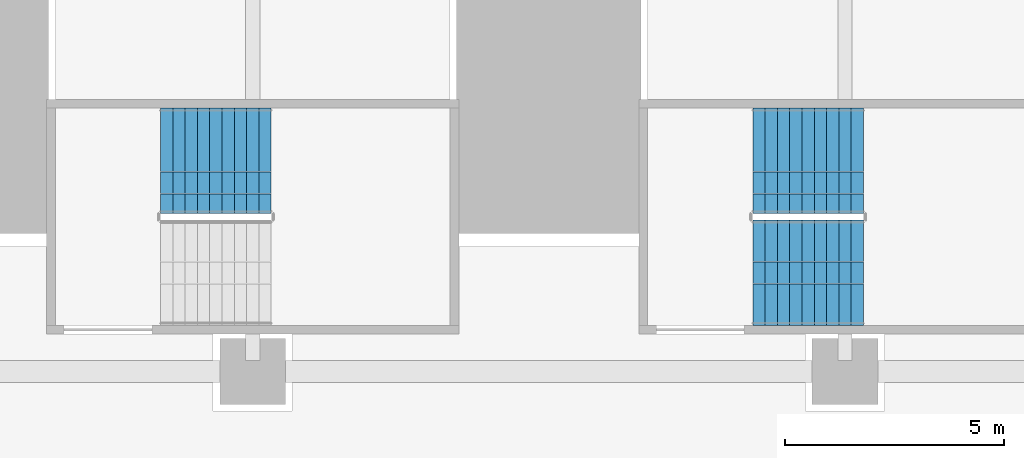
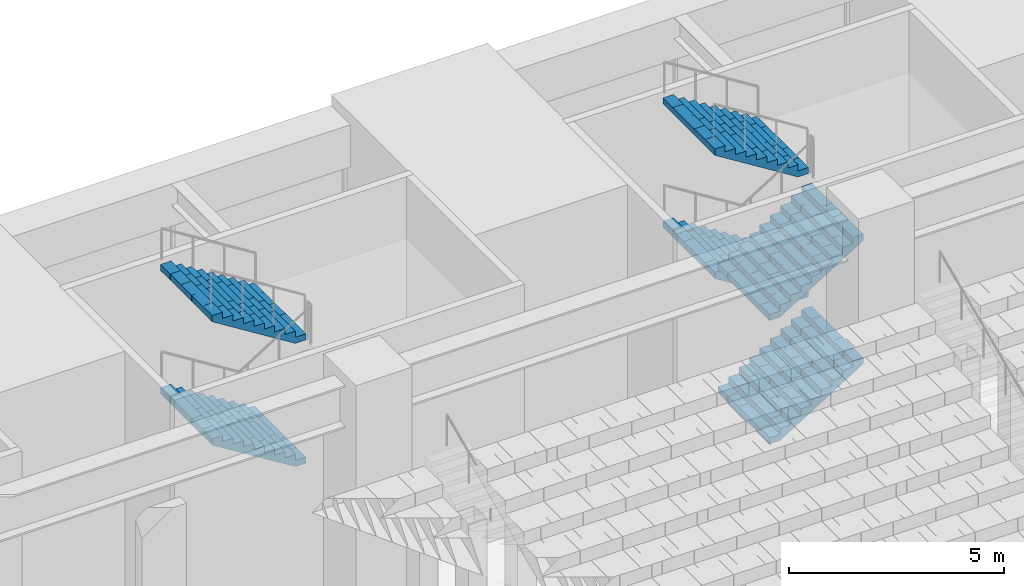
# One storey, part 51 of 62: 6 stair flights, 2 elements without a shape of their own.
"""IFC4 building model written with IfcOpenShell, lengths in metres."""

import ifcopenshell
import ifcopenshell.guid

model = None  # the IFC model being written
_history = None  # IfcOwnerHistory: only IFC2X3 demands one
_inside = {}  # id of a spatial element -> (the spatial element, [elements in it])
_under = {}  # id of a project, library or spatial element -> (it, [spatial elements below it])
_declared = {}  # id of a project -> (the project, [libraries it declares])
_typed = {}  # id of a type object -> (the type object, [elements of that type])
_made_of = {}  # id of a material, layer set ... -> (it, [elements and type objects made of it])


def new_model(schema):
    """Start an empty IFC model of exactly this schema.

    Asked for "IFC4X3", IfcOpenShell would pick the latest addendum, in which some entities
    have other attributes; the version numbers below select the first issue.
    IFC2X3 requires an IfcOwnerHistory on every rooted entity: one is made here for all.
    """
    global model, _history
    if schema == "IFC4X3":
        model = ifcopenshell.file(schema_version=(4, 3, 0, 0))
    else:
        model = ifcopenshell.file(schema=schema)
    _inside.clear()
    _under.clear()
    _declared.clear()
    _typed.clear()
    _made_of.clear()
    _history = None
    if model.schema == "IFC2X3":
        org = make("IfcOrganization", Name="unknown")
        user = make(
            "IfcPersonAndOrganization",
            ThePerson=make("IfcPerson", FamilyName="unknown"),
            TheOrganization=org,
        )
        app = make(
            "IfcApplication",
            ApplicationDeveloper=org,
            Version="unknown",
            ApplicationFullName="unknown",
            ApplicationIdentifier="unknown",
        )
        _history = make(
            "IfcOwnerHistory",
            OwningUser=user,
            OwningApplication=app,
            ChangeAction="ADDED",
            CreationDate=0,
        )
    return model


def make(cls, **values):
    """One entity of the class cls with the attributes given. An attribute that is None is left unset."""
    return model.create_entity(
        cls, **{name: value for name, value in values.items() if value is not None}
    )


def rooted(cls, **values):
    """An entity with a GlobalId (a new one), such as an element, a storey or a relation."""
    return make(cls, GlobalId=ifcopenshell.guid.new(), OwnerHistory=_history, **values)


def si_unit(unit_type, name, prefix=None):
    """IfcSIUnit, for example si_unit("LENGTHUNIT", "METRE", prefix="MILLI")."""
    return make("IfcSIUnit", UnitType=unit_type, Prefix=prefix, Name=name)


def assignment(units):
    """IfcUnitAssignment: the units of a project."""
    return None if units is None else make("IfcUnitAssignment", Units=units)


def point(xyz):
    """IfcCartesianPoint."""
    return None if xyz is None else make("IfcCartesianPoint", Coordinates=xyz)


def direction(xyz):
    """IfcDirection."""
    return None if xyz is None else make("IfcDirection", DirectionRatios=xyz)


def frame(location, z_axis=None, x_axis=None):
    """IfcAxis2Placement3D, a coordinate frame: its origin and axes. An axis left out is left unset."""
    return make(
        "IfcAxis2Placement3D",
        Location=point(location),
        Axis=direction(z_axis),
        RefDirection=direction(x_axis),
    )


def origin():
    """The frame at (0, 0, 0) with its axes left unset."""
    return frame((0.0, 0.0, 0.0))


def place(relative_to, where):
    """IfcLocalPlacement: puts the frame where relative to a parent placement (None: the world)."""
    return make(
        "IfcLocalPlacement", PlacementRelTo=relative_to, RelativePlacement=where
    )


def context(
    kind, dimensions, precision=None, world=None, true_north=None, identifier=None
):
    """IfcGeometricRepresentationContext, for example the 3D "Model" context."""
    return make(
        "IfcGeometricRepresentationContext",
        ContextIdentifier=identifier,
        ContextType=kind,
        CoordinateSpaceDimension=dimensions,
        Precision=precision,
        WorldCoordinateSystem=world,
        TrueNorth=true_north,
    )


def subcontext(parent, identifier, kind, view, scale=None):
    """IfcGeometricRepresentationSubContext, for example "Body" below "Model"."""
    return make(
        "IfcGeometricRepresentationSubContext",
        ContextIdentifier=identifier,
        ContextType=kind,
        ParentContext=parent,
        TargetScale=scale,
        TargetView=view,
    )


def project(units=None, contexts=None):
    """IfcProject with its units and contexts."""
    return rooted(
        "IfcProject",
        Name="project",
        RepresentationContexts=contexts,
        UnitsInContext=assignment(units),
    )


def spatial(cls, under=None, at=None, **own):
    """A site, building, storey or space (cls), placed at a placement, below another one or the project."""
    s = rooted(cls, ObjectPlacement=at, **own)
    if under is not None:
        _under.setdefault(under.id(), (under, []))[1].append(s)
    return s


def polyline(points):
    """IfcPolyline through the points."""
    return make("IfcPolyline", Points=[point(p) for p in points])


def outline(outer, holes=None, kind="AREA"):
    """IfcArbitraryClosedProfileDef: a profile drawn as a closed curve; with holes, ...WithVoids."""
    if holes is None:
        return make("IfcArbitraryClosedProfileDef", ProfileType=kind, OuterCurve=outer)
    return make(
        "IfcArbitraryProfileDefWithVoids",
        ProfileType=kind,
        OuterCurve=outer,
        InnerCurves=holes,
    )


def extrude(swept, where, along, depth):
    """IfcExtrudedAreaSolid: the profile swept, set in the frame where, extruded along a direction by depth."""
    return make(
        "IfcExtrudedAreaSolid",
        SweptArea=swept,
        Position=where,
        ExtrudedDirection=direction(along),
        Depth=depth,
    )


def shape(context_of_items, identifier, shape_type, items):
    """IfcShapeRepresentation: the items that make up one representation, for example the "Body"."""
    return make(
        "IfcShapeRepresentation",
        ContextOfItems=context_of_items,
        RepresentationIdentifier=identifier,
        RepresentationType=shape_type,
        Items=items,
    )


def material(Name=None, Category=None):
    """IfcMaterial."""
    return make("IfcMaterial", Name=Name, Category=Category)


def made_of(thing, what):
    """Note that an element or type object is made of a material, layer set ...; save() writes the relation."""
    if what is not None:
        _made_of.setdefault(what.id(), (what, []))[1].append(thing)
    return thing


def type_object(cls, material=None, **own):
    """A type object (cls), such as IfcWallType, which elements share."""
    return made_of(rooted(cls, **own), material)


def element(
    cls,
    number,
    at=None,
    inside=None,
    cuts=None,
    type_object=None,
    material=None,
    context=None,
    identifier="Body",
    shape_type=None,
    held_by="IfcProductDefinitionShape",
    body=None,
    shapes=None,
    **own,
):
    """One element of the class cls, such as IfcWall. Its Tag is "e" and its number.

    at: its placement. inside: the storey or other place that contains it. cuts: it is an
    opening in that element (IfcRelVoidsElement). A single representation is given by context,
    identifier, shape_type and body (its items); several are given by shapes. held_by: the class
    of the entity that holds the representations. save() writes the other relations.
    """
    e = rooted(cls, Tag="e%d" % number, ObjectPlacement=at, **own)
    if body is not None:
        shapes = [shape(context, identifier, shape_type, body)]
    if shapes is not None:
        e.Representation = make(held_by, Representations=shapes)
    if inside is not None:
        _inside.setdefault(inside.id(), (inside, []))[1].append(e)
    if cuts is not None:
        rooted(
            "IfcRelVoidsElement", RelatingBuildingElement=cuts, RelatedOpeningElement=e
        )
    if type_object is not None:
        _typed.setdefault(type_object.id(), (type_object, []))[1].append(e)
    return made_of(e, material)


def aggregate(whole, parts):
    """IfcRelAggregates: a whole, such as a stair, and the parts it consists of."""
    return rooted("IfcRelAggregates", RelatingObject=whole, RelatedObjects=parts)


def save(model, path):
    """Write the relations noted so far, then the file.

    IfcRelAggregates (storeys below a building ...), IfcRelContainedInSpatialStructure (elements
    in a storey), IfcRelDefinesByType, IfcRelAssociatesMaterial and IfcRelDeclares: one each for
    every whole, place, type object, material and project.
    """
    for whole, parts in _under.values():
        aggregate(whole, parts)
    for where, things in _inside.values():
        rooted(
            "IfcRelContainedInSpatialStructure",
            RelatedElements=things,
            RelatingStructure=where,
        )
    for kind, things in _typed.values():
        rooted("IfcRelDefinesByType", RelatedObjects=things, RelatingType=kind)
    for what, things in _made_of.values():
        rooted("IfcRelAssociatesMaterial", RelatedObjects=things, RelatingMaterial=what)
    for by, libraries in _declared.values():
        rooted("IfcRelDeclares", RelatingContext=by, RelatedDefinitions=libraries)
    model.write(path)


model = new_model("IFC4")

# Units and contexts
model_context = context("Model", 3, precision=1e-05, world=origin(), true_north=direction((0.0, 1.0)))
body_context = subcontext(model_context, "Body", "Model", "MODEL_VIEW")
ifc_project = project(units=[si_unit("LENGTHUNIT", "METRE"), si_unit("AREAUNIT", "SQUARE_METRE"), si_unit("VOLUMEUNIT", "CUBIC_METRE"), si_unit("PLANEANGLEUNIT", "RADIAN"), si_unit("MASSUNIT", "GRAM", prefix="KILO")], contexts=[model_context])

# Site, building, storey
site_placement = place(None, origin())
site = spatial("IfcSite", under=ifc_project, at=site_placement, CompositionType="ELEMENT")
building_placement = place(site_placement, origin())
building = spatial("IfcBuilding", under=site, at=building_placement, Name="Corbelhall Arena Tower", CompositionType="ELEMENT")
storey_placement = place(building_placement, frame((0.0, 0.0, 12.0)))
storey = spatial("IfcBuildingStorey", under=building, at=storey_placement, Name="L01", CompositionType="ELEMENT", Elevation=12.0)

# Stair, stair flights
ifc_material = material(Name="Reinforced concrete C40/50", Category="concrete")
stair_type = type_object("IfcStairType", Name="AR-EXIT-STAIR", PredefinedType="HALF_TURN_STAIR", material=ifc_material)
stair_1_placement = place(storey_placement, origin())
stair_1 = element("IfcStair", 1, at=stair_1_placement, inside=storey, type_object=stair_type, Name="L01 exit stair AS11", PredefinedType="HALF_TURN_STAIR")
stair_flight_type = type_object("IfcStairFlightType", Name="AR-EXIT-FLIGHT", PredefinedType="STRAIGHT", material=ifc_material)
stair_flight_1_placement = place(storey_placement, frame((7.169921875, 34.050048828125, 1.75), z_axis=(0.0, 0.0, 1.0), x_axis=(-1.0, 0.0, 0.0)))
stair_flight_1 = element("IfcStairFlight", 2, at=stair_flight_1_placement, type_object=stair_flight_type, Name="AS11 flight 2", NumberOfRisers=10, NumberOfTreads=9, PredefinedType="STRAIGHT", RiserHeight=0.175, TreadLength=0.28, context=body_context, shape_type="SweptSolid", body=[
    extrude(outline(polyline([(0.0, 0.0), (0.0, 0.175048828125), (0.280029296875, 0.175048828125), (0.280029296875, 0.35009765625), (0.56005859375, 0.35009765625), (0.56005859375, 0.52490234375), (0.840087890625, 0.52490234375), (0.840087890625, 0.699951171875), (1.1201171875, 0.699951171875), (1.1201171875, 0.875), (1.39990234375, 0.875), (1.39990234375, 1.050048828125), (1.679931640625, 1.050048828125), (1.679931640625, 1.22509765625), (1.9599609375, 1.22509765625), (1.9599609375, 1.39990234375), (2.239990234375, 1.39990234375), (2.239990234375, 1.574951171875), (2.52001953125, 1.574951171875), (2.52001953125, 1.75), (2.52001953125, 1.398193359375), (0.28271484375, 0.0), (0.0, 0.0)])), frame((0.0, 1.199951171875, 0.0), z_axis=(0.0, -1.0, 0.0), x_axis=(1.0, 0.0, 0.0)), (0.0, 0.0, 1.0), 0.449951171875),
    extrude(outline(polyline([(0.0, 0.0), (0.0, 0.175048828125), (0.280029296875, 0.175048828125), (0.280029296875, 0.35009765625), (0.56005859375, 0.35009765625), (0.56005859375, 0.52490234375), (0.840087890625, 0.52490234375), (0.840087890625, 0.699951171875), (1.1201171875, 0.699951171875), (1.1201171875, 0.875), (1.39990234375, 0.875), (1.39990234375, 1.050048828125), (1.679931640625, 1.050048828125), (1.679931640625, 1.22509765625), (1.9599609375, 1.22509765625), (1.9599609375, 1.39990234375), (2.239990234375, 1.39990234375), (2.239990234375, 1.574951171875), (2.52001953125, 1.574951171875), (2.52001953125, 1.75), (2.52001953125, 1.398193359375), (0.28271484375, 0.0), (0.0, 0.0)])), frame((0.0, 0.745849609375, 0.0), z_axis=(0.0, -1.0, 0.0), x_axis=(1.0, 0.0, 0.0)), (0.0, 0.0, 1.0), 0.49462890625),
    extrude(outline(polyline([(0.0, 0.0), (0.0, 0.175048828125), (0.280029296875, 0.175048828125), (0.280029296875, 0.35009765625), (0.56005859375, 0.35009765625), (0.56005859375, 0.52490234375), (0.840087890625, 0.52490234375), (0.840087890625, 0.699951171875), (1.1201171875, 0.699951171875), (1.1201171875, 0.875), (1.39990234375, 0.875), (1.39990234375, 1.050048828125), (1.679931640625, 1.050048828125), (1.679931640625, 1.22509765625), (1.9599609375, 1.22509765625), (1.9599609375, 1.39990234375), (2.239990234375, 1.39990234375), (2.239990234375, 1.574951171875), (2.52001953125, 1.574951171875), (2.52001953125, 1.75), (2.52001953125, 1.398193359375), (0.28271484375, 0.0), (0.0, 0.0)])), frame((0.0, 0.247314453125, 0.0), z_axis=(0.0, -1.0, 0.0), x_axis=(1.0, 0.0, 0.0)), (0.0, 0.0, 1.0), 0.49462890625),
    extrude(outline(polyline([(0.0, 0.0), (0.0, 0.175048828125), (0.280029296875, 0.175048828125), (0.280029296875, 0.35009765625), (0.56005859375, 0.35009765625), (0.56005859375, 0.52490234375), (0.840087890625, 0.52490234375), (0.840087890625, 0.699951171875), (1.1201171875, 0.699951171875), (1.1201171875, 0.875), (1.39990234375, 0.875), (1.39990234375, 1.050048828125), (1.679931640625, 1.050048828125), (1.679931640625, 1.22509765625), (1.9599609375, 1.22509765625), (1.9599609375, 1.39990234375), (2.239990234375, 1.39990234375), (2.239990234375, 1.574951171875), (2.52001953125, 1.574951171875), (2.52001953125, 1.75), (2.52001953125, 1.398193359375), (0.28271484375, 0.0), (0.0, 0.0)])), frame((0.0, -0.251220703125, 0.0), z_axis=(0.0, -1.0, 0.0), x_axis=(1.0, 0.0, 0.0)), (0.0, 0.0, 1.0), 0.49462890625),
    extrude(outline(polyline([(0.0, 0.0), (0.0, 0.175048828125), (0.280029296875, 0.175048828125), (0.280029296875, 0.35009765625), (0.56005859375, 0.35009765625), (0.56005859375, 0.52490234375), (0.840087890625, 0.52490234375), (0.840087890625, 0.699951171875), (1.1201171875, 0.699951171875), (1.1201171875, 0.875), (1.39990234375, 0.875), (1.39990234375, 1.050048828125), (1.679931640625, 1.050048828125), (1.679931640625, 1.22509765625), (1.9599609375, 1.22509765625), (1.9599609375, 1.39990234375), (2.239990234375, 1.39990234375), (2.239990234375, 1.574951171875), (2.52001953125, 1.574951171875), (2.52001953125, 1.75), (2.52001953125, 1.398193359375), (0.28271484375, 0.0), (0.0, 0.0)])), frame((0.0, -0.75, 0.0), z_axis=(0.0, -1.0, 0.0), x_axis=(1.0, 0.0, 0.0)), (0.0, 0.0, 1.0), 0.449951171875),
])
stair_flight_2_placement = place(storey_placement, frame((7.169921875, 34.050048828125, 5.25), z_axis=(0.0, 0.0, 1.0), x_axis=(-1.0, 0.0, 0.0)))
stair_flight_2 = element("IfcStairFlight", 3, at=stair_flight_2_placement, type_object=stair_flight_type, Name="AS11 flight 4", NumberOfRisers=10, NumberOfTreads=9, PredefinedType="STRAIGHT", RiserHeight=0.175, TreadLength=0.28, context=body_context, shape_type="SweptSolid", body=[
    extrude(outline(polyline([(0.0, 0.0), (0.0, 0.175048828125), (0.280029296875, 0.175048828125), (0.280029296875, 0.35009765625), (0.56005859375, 0.35009765625), (0.56005859375, 0.52490234375), (0.840087890625, 0.52490234375), (0.840087890625, 0.699951171875), (1.1201171875, 0.699951171875), (1.1201171875, 0.875), (1.39990234375, 0.875), (1.39990234375, 1.050048828125), (1.679931640625, 1.050048828125), (1.679931640625, 1.22509765625), (1.9599609375, 1.22509765625), (1.9599609375, 1.39990234375), (2.239990234375, 1.39990234375), (2.239990234375, 1.574951171875), (2.52001953125, 1.574951171875), (2.52001953125, 1.75), (2.52001953125, 1.398193359375), (0.28271484375, 0.0), (0.0, 0.0)])), frame((0.0, 1.199951171875, 0.0), z_axis=(0.0, -1.0, 0.0), x_axis=(1.0, 0.0, 0.0)), (0.0, 0.0, 1.0), 0.449951171875),
    extrude(outline(polyline([(0.0, 0.0), (0.0, 0.175048828125), (0.280029296875, 0.175048828125), (0.280029296875, 0.35009765625), (0.56005859375, 0.35009765625), (0.56005859375, 0.52490234375), (0.840087890625, 0.52490234375), (0.840087890625, 0.699951171875), (1.1201171875, 0.699951171875), (1.1201171875, 0.875), (1.39990234375, 0.875), (1.39990234375, 1.050048828125), (1.679931640625, 1.050048828125), (1.679931640625, 1.22509765625), (1.9599609375, 1.22509765625), (1.9599609375, 1.39990234375), (2.239990234375, 1.39990234375), (2.239990234375, 1.574951171875), (2.52001953125, 1.574951171875), (2.52001953125, 1.75), (2.52001953125, 1.398193359375), (0.28271484375, 0.0), (0.0, 0.0)])), frame((0.0, 0.745849609375, 0.0), z_axis=(0.0, -1.0, 0.0), x_axis=(1.0, 0.0, 0.0)), (0.0, 0.0, 1.0), 0.49462890625),
    extrude(outline(polyline([(0.0, 0.0), (0.0, 0.175048828125), (0.280029296875, 0.175048828125), (0.280029296875, 0.35009765625), (0.56005859375, 0.35009765625), (0.56005859375, 0.52490234375), (0.840087890625, 0.52490234375), (0.840087890625, 0.699951171875), (1.1201171875, 0.699951171875), (1.1201171875, 0.875), (1.39990234375, 0.875), (1.39990234375, 1.050048828125), (1.679931640625, 1.050048828125), (1.679931640625, 1.22509765625), (1.9599609375, 1.22509765625), (1.9599609375, 1.39990234375), (2.239990234375, 1.39990234375), (2.239990234375, 1.574951171875), (2.52001953125, 1.574951171875), (2.52001953125, 1.75), (2.52001953125, 1.398193359375), (0.28271484375, 0.0), (0.0, 0.0)])), frame((0.0, 0.247314453125, 0.0), z_axis=(0.0, -1.0, 0.0), x_axis=(1.0, 0.0, 0.0)), (0.0, 0.0, 1.0), 0.49462890625),
    extrude(outline(polyline([(0.0, 0.0), (0.0, 0.175048828125), (0.280029296875, 0.175048828125), (0.280029296875, 0.35009765625), (0.56005859375, 0.35009765625), (0.56005859375, 0.52490234375), (0.840087890625, 0.52490234375), (0.840087890625, 0.699951171875), (1.1201171875, 0.699951171875), (1.1201171875, 0.875), (1.39990234375, 0.875), (1.39990234375, 1.050048828125), (1.679931640625, 1.050048828125), (1.679931640625, 1.22509765625), (1.9599609375, 1.22509765625), (1.9599609375, 1.39990234375), (2.239990234375, 1.39990234375), (2.239990234375, 1.574951171875), (2.52001953125, 1.574951171875), (2.52001953125, 1.75), (2.52001953125, 1.398193359375), (0.28271484375, 0.0), (0.0, 0.0)])), frame((0.0, -0.251220703125, 0.0), z_axis=(0.0, -1.0, 0.0), x_axis=(1.0, 0.0, 0.0)), (0.0, 0.0, 1.0), 0.49462890625),
    extrude(outline(polyline([(0.0, 0.0), (0.0, 0.175048828125), (0.280029296875, 0.175048828125), (0.280029296875, 0.35009765625), (0.56005859375, 0.35009765625), (0.56005859375, 0.52490234375), (0.840087890625, 0.52490234375), (0.840087890625, 0.699951171875), (1.1201171875, 0.699951171875), (1.1201171875, 0.875), (1.39990234375, 0.875), (1.39990234375, 1.050048828125), (1.679931640625, 1.050048828125), (1.679931640625, 1.22509765625), (1.9599609375, 1.22509765625), (1.9599609375, 1.39990234375), (2.239990234375, 1.39990234375), (2.239990234375, 1.574951171875), (2.52001953125, 1.574951171875), (2.52001953125, 1.75), (2.52001953125, 1.398193359375), (0.28271484375, 0.0), (0.0, 0.0)])), frame((0.0, -0.75, 0.0), z_axis=(0.0, -1.0, 0.0), x_axis=(1.0, 0.0, 0.0)), (0.0, 0.0, 1.0), 0.449951171875),
])
aggregate(stair_1, [stair_flight_1, stair_flight_2])

stair_2_placement = place(storey_placement, origin())
stair_2 = element("IfcStair", 4, at=stair_2_placement, inside=storey, type_object=stair_type, Name="L01 exit stair AS12", PredefinedType="HALF_TURN_STAIR")
stair_flight_3_placement = place(storey_placement, frame((18.14990234375, 31.5, 0.0), z_axis=(0.0, 0.0, 1.0), x_axis=(1.0, 0.0, 0.0)))
stair_flight_3 = element("IfcStairFlight", 5, at=stair_flight_3_placement, type_object=stair_flight_type, Name="AS12 flight 1", NumberOfRisers=10, NumberOfTreads=9, PredefinedType="STRAIGHT", RiserHeight=0.175, TreadLength=0.28, context=body_context, shape_type="SweptSolid", body=[
    extrude(outline(polyline([(0.0, 0.0), (0.0, 0.175048828125), (0.280029296875, 0.175048828125), (0.280029296875, 0.35009765625), (0.56005859375, 0.35009765625), (0.56005859375, 0.52490234375), (0.840087890625, 0.52490234375), (0.840087890625, 0.699951171875), (1.1201171875, 0.699951171875), (1.1201171875, 0.875), (1.39990234375, 0.875), (1.39990234375, 1.050048828125), (1.679931640625, 1.050048828125), (1.679931640625, 1.22509765625), (1.9599609375, 1.22509765625), (1.9599609375, 1.39990234375), (2.239990234375, 1.39990234375), (2.239990234375, 1.574951171875), (2.52001953125, 1.574951171875), (2.52001953125, 1.75), (2.52001953125, 1.398193359375), (0.28271484375, 0.0), (0.0, 0.0)])), frame((0.0, 1.199951171875, 0.0), z_axis=(0.0, -1.0, 0.0), x_axis=(1.0, 0.0, 0.0)), (0.0, 0.0, 1.0), 0.449951171875),
    extrude(outline(polyline([(0.0, 0.0), (0.0, 0.175048828125), (0.280029296875, 0.175048828125), (0.280029296875, 0.35009765625), (0.56005859375, 0.35009765625), (0.56005859375, 0.52490234375), (0.840087890625, 0.52490234375), (0.840087890625, 0.699951171875), (1.1201171875, 0.699951171875), (1.1201171875, 0.875), (1.39990234375, 0.875), (1.39990234375, 1.050048828125), (1.679931640625, 1.050048828125), (1.679931640625, 1.22509765625), (1.9599609375, 1.22509765625), (1.9599609375, 1.39990234375), (2.239990234375, 1.39990234375), (2.239990234375, 1.574951171875), (2.52001953125, 1.574951171875), (2.52001953125, 1.75), (2.52001953125, 1.398193359375), (0.28271484375, 0.0), (0.0, 0.0)])), frame((0.0, 0.745849609375, 0.0), z_axis=(0.0, -1.0, 0.0), x_axis=(1.0, 0.0, 0.0)), (0.0, 0.0, 1.0), 0.49462890625),
    extrude(outline(polyline([(0.0, 0.0), (0.0, 0.175048828125), (0.280029296875, 0.175048828125), (0.280029296875, 0.35009765625), (0.56005859375, 0.35009765625), (0.56005859375, 0.52490234375), (0.840087890625, 0.52490234375), (0.840087890625, 0.699951171875), (1.1201171875, 0.699951171875), (1.1201171875, 0.875), (1.39990234375, 0.875), (1.39990234375, 1.050048828125), (1.679931640625, 1.050048828125), (1.679931640625, 1.22509765625), (1.9599609375, 1.22509765625), (1.9599609375, 1.39990234375), (2.239990234375, 1.39990234375), (2.239990234375, 1.574951171875), (2.52001953125, 1.574951171875), (2.52001953125, 1.75), (2.52001953125, 1.398193359375), (0.28271484375, 0.0), (0.0, 0.0)])), frame((0.0, 0.247314453125, 0.0), z_axis=(0.0, -1.0, 0.0), x_axis=(1.0, 0.0, 0.0)), (0.0, 0.0, 1.0), 0.49462890625),
    extrude(outline(polyline([(0.0, 0.0), (0.0, 0.175048828125), (0.280029296875, 0.175048828125), (0.280029296875, 0.35009765625), (0.56005859375, 0.35009765625), (0.56005859375, 0.52490234375), (0.840087890625, 0.52490234375), (0.840087890625, 0.699951171875), (1.1201171875, 0.699951171875), (1.1201171875, 0.875), (1.39990234375, 0.875), (1.39990234375, 1.050048828125), (1.679931640625, 1.050048828125), (1.679931640625, 1.22509765625), (1.9599609375, 1.22509765625), (1.9599609375, 1.39990234375), (2.239990234375, 1.39990234375), (2.239990234375, 1.574951171875), (2.52001953125, 1.574951171875), (2.52001953125, 1.75), (2.52001953125, 1.398193359375), (0.28271484375, 0.0), (0.0, 0.0)])), frame((0.0, -0.251220703125, 0.0), z_axis=(0.0, -1.0, 0.0), x_axis=(1.0, 0.0, 0.0)), (0.0, 0.0, 1.0), 0.49462890625),
    extrude(outline(polyline([(0.0, 0.0), (0.0, 0.175048828125), (0.280029296875, 0.175048828125), (0.280029296875, 0.35009765625), (0.56005859375, 0.35009765625), (0.56005859375, 0.52490234375), (0.840087890625, 0.52490234375), (0.840087890625, 0.699951171875), (1.1201171875, 0.699951171875), (1.1201171875, 0.875), (1.39990234375, 0.875), (1.39990234375, 1.050048828125), (1.679931640625, 1.050048828125), (1.679931640625, 1.22509765625), (1.9599609375, 1.22509765625), (1.9599609375, 1.39990234375), (2.239990234375, 1.39990234375), (2.239990234375, 1.574951171875), (2.52001953125, 1.574951171875), (2.52001953125, 1.75), (2.52001953125, 1.398193359375), (0.28271484375, 0.0), (0.0, 0.0)])), frame((0.0, -0.75, 0.0), z_axis=(0.0, -1.0, 0.0), x_axis=(1.0, 0.0, 0.0)), (0.0, 0.0, 1.0), 0.449951171875),
])
stair_flight_4_placement = place(storey_placement, frame((20.669921875, 34.050048828125, 1.75), z_axis=(0.0, 0.0, 1.0), x_axis=(-1.0, 0.0, 0.0)))
stair_flight_4 = element("IfcStairFlight", 6, at=stair_flight_4_placement, type_object=stair_flight_type, Name="AS12 flight 2", NumberOfRisers=10, NumberOfTreads=9, PredefinedType="STRAIGHT", RiserHeight=0.175, TreadLength=0.28, context=body_context, shape_type="SweptSolid", body=[
    extrude(outline(polyline([(0.0, 0.0), (0.0, 0.175048828125), (0.280029296875, 0.175048828125), (0.280029296875, 0.35009765625), (0.56005859375, 0.35009765625), (0.56005859375, 0.52490234375), (0.840087890625, 0.52490234375), (0.840087890625, 0.699951171875), (1.1201171875, 0.699951171875), (1.1201171875, 0.875), (1.39990234375, 0.875), (1.39990234375, 1.050048828125), (1.679931640625, 1.050048828125), (1.679931640625, 1.22509765625), (1.9599609375, 1.22509765625), (1.9599609375, 1.39990234375), (2.239990234375, 1.39990234375), (2.239990234375, 1.574951171875), (2.52001953125, 1.574951171875), (2.52001953125, 1.75), (2.52001953125, 1.398193359375), (0.28271484375, 0.0), (0.0, 0.0)])), frame((0.0, 1.199951171875, 0.0), z_axis=(0.0, -1.0, 0.0), x_axis=(1.0, 0.0, 0.0)), (0.0, 0.0, 1.0), 0.449951171875),
    extrude(outline(polyline([(0.0, 0.0), (0.0, 0.175048828125), (0.280029296875, 0.175048828125), (0.280029296875, 0.35009765625), (0.56005859375, 0.35009765625), (0.56005859375, 0.52490234375), (0.840087890625, 0.52490234375), (0.840087890625, 0.699951171875), (1.1201171875, 0.699951171875), (1.1201171875, 0.875), (1.39990234375, 0.875), (1.39990234375, 1.050048828125), (1.679931640625, 1.050048828125), (1.679931640625, 1.22509765625), (1.9599609375, 1.22509765625), (1.9599609375, 1.39990234375), (2.239990234375, 1.39990234375), (2.239990234375, 1.574951171875), (2.52001953125, 1.574951171875), (2.52001953125, 1.75), (2.52001953125, 1.398193359375), (0.28271484375, 0.0), (0.0, 0.0)])), frame((0.0, 0.745849609375, 0.0), z_axis=(0.0, -1.0, 0.0), x_axis=(1.0, 0.0, 0.0)), (0.0, 0.0, 1.0), 0.49462890625),
    extrude(outline(polyline([(0.0, 0.0), (0.0, 0.175048828125), (0.280029296875, 0.175048828125), (0.280029296875, 0.35009765625), (0.56005859375, 0.35009765625), (0.56005859375, 0.52490234375), (0.840087890625, 0.52490234375), (0.840087890625, 0.699951171875), (1.1201171875, 0.699951171875), (1.1201171875, 0.875), (1.39990234375, 0.875), (1.39990234375, 1.050048828125), (1.679931640625, 1.050048828125), (1.679931640625, 1.22509765625), (1.9599609375, 1.22509765625), (1.9599609375, 1.39990234375), (2.239990234375, 1.39990234375), (2.239990234375, 1.574951171875), (2.52001953125, 1.574951171875), (2.52001953125, 1.75), (2.52001953125, 1.398193359375), (0.28271484375, 0.0), (0.0, 0.0)])), frame((0.0, 0.247314453125, 0.0), z_axis=(0.0, -1.0, 0.0), x_axis=(1.0, 0.0, 0.0)), (0.0, 0.0, 1.0), 0.49462890625),
    extrude(outline(polyline([(0.0, 0.0), (0.0, 0.175048828125), (0.280029296875, 0.175048828125), (0.280029296875, 0.35009765625), (0.56005859375, 0.35009765625), (0.56005859375, 0.52490234375), (0.840087890625, 0.52490234375), (0.840087890625, 0.699951171875), (1.1201171875, 0.699951171875), (1.1201171875, 0.875), (1.39990234375, 0.875), (1.39990234375, 1.050048828125), (1.679931640625, 1.050048828125), (1.679931640625, 1.22509765625), (1.9599609375, 1.22509765625), (1.9599609375, 1.39990234375), (2.239990234375, 1.39990234375), (2.239990234375, 1.574951171875), (2.52001953125, 1.574951171875), (2.52001953125, 1.75), (2.52001953125, 1.398193359375), (0.28271484375, 0.0), (0.0, 0.0)])), frame((0.0, -0.251220703125, 0.0), z_axis=(0.0, -1.0, 0.0), x_axis=(1.0, 0.0, 0.0)), (0.0, 0.0, 1.0), 0.49462890625),
    extrude(outline(polyline([(0.0, 0.0), (0.0, 0.175048828125), (0.280029296875, 0.175048828125), (0.280029296875, 0.35009765625), (0.56005859375, 0.35009765625), (0.56005859375, 0.52490234375), (0.840087890625, 0.52490234375), (0.840087890625, 0.699951171875), (1.1201171875, 0.699951171875), (1.1201171875, 0.875), (1.39990234375, 0.875), (1.39990234375, 1.050048828125), (1.679931640625, 1.050048828125), (1.679931640625, 1.22509765625), (1.9599609375, 1.22509765625), (1.9599609375, 1.39990234375), (2.239990234375, 1.39990234375), (2.239990234375, 1.574951171875), (2.52001953125, 1.574951171875), (2.52001953125, 1.75), (2.52001953125, 1.398193359375), (0.28271484375, 0.0), (0.0, 0.0)])), frame((0.0, -0.75, 0.0), z_axis=(0.0, -1.0, 0.0), x_axis=(1.0, 0.0, 0.0)), (0.0, 0.0, 1.0), 0.449951171875),
])
stair_flight_5_placement = place(storey_placement, frame((18.14990234375, 31.5, 3.5), z_axis=(0.0, 0.0, 1.0), x_axis=(1.0, 0.0, 0.0)))
stair_flight_5 = element("IfcStairFlight", 7, at=stair_flight_5_placement, type_object=stair_flight_type, Name="AS12 flight 3", NumberOfRisers=10, NumberOfTreads=9, PredefinedType="STRAIGHT", RiserHeight=0.175, TreadLength=0.28, context=body_context, shape_type="SweptSolid", body=[
    extrude(outline(polyline([(0.0, 0.0), (0.0, 0.175048828125), (0.280029296875, 0.175048828125), (0.280029296875, 0.35009765625), (0.56005859375, 0.35009765625), (0.56005859375, 0.52490234375), (0.840087890625, 0.52490234375), (0.840087890625, 0.699951171875), (1.1201171875, 0.699951171875), (1.1201171875, 0.875), (1.39990234375, 0.875), (1.39990234375, 1.050048828125), (1.679931640625, 1.050048828125), (1.679931640625, 1.22509765625), (1.9599609375, 1.22509765625), (1.9599609375, 1.39990234375), (2.239990234375, 1.39990234375), (2.239990234375, 1.574951171875), (2.52001953125, 1.574951171875), (2.52001953125, 1.75), (2.52001953125, 1.398193359375), (0.28271484375, 0.0), (0.0, 0.0)])), frame((0.0, 1.199951171875, 0.0), z_axis=(0.0, -1.0, 0.0), x_axis=(1.0, 0.0, 0.0)), (0.0, 0.0, 1.0), 0.449951171875),
    extrude(outline(polyline([(0.0, 0.0), (0.0, 0.175048828125), (0.280029296875, 0.175048828125), (0.280029296875, 0.35009765625), (0.56005859375, 0.35009765625), (0.56005859375, 0.52490234375), (0.840087890625, 0.52490234375), (0.840087890625, 0.699951171875), (1.1201171875, 0.699951171875), (1.1201171875, 0.875), (1.39990234375, 0.875), (1.39990234375, 1.050048828125), (1.679931640625, 1.050048828125), (1.679931640625, 1.22509765625), (1.9599609375, 1.22509765625), (1.9599609375, 1.39990234375), (2.239990234375, 1.39990234375), (2.239990234375, 1.574951171875), (2.52001953125, 1.574951171875), (2.52001953125, 1.75), (2.52001953125, 1.398193359375), (0.28271484375, 0.0), (0.0, 0.0)])), frame((0.0, 0.745849609375, 0.0), z_axis=(0.0, -1.0, 0.0), x_axis=(1.0, 0.0, 0.0)), (0.0, 0.0, 1.0), 0.49462890625),
    extrude(outline(polyline([(0.0, 0.0), (0.0, 0.175048828125), (0.280029296875, 0.175048828125), (0.280029296875, 0.35009765625), (0.56005859375, 0.35009765625), (0.56005859375, 0.52490234375), (0.840087890625, 0.52490234375), (0.840087890625, 0.699951171875), (1.1201171875, 0.699951171875), (1.1201171875, 0.875), (1.39990234375, 0.875), (1.39990234375, 1.050048828125), (1.679931640625, 1.050048828125), (1.679931640625, 1.22509765625), (1.9599609375, 1.22509765625), (1.9599609375, 1.39990234375), (2.239990234375, 1.39990234375), (2.239990234375, 1.574951171875), (2.52001953125, 1.574951171875), (2.52001953125, 1.75), (2.52001953125, 1.398193359375), (0.28271484375, 0.0), (0.0, 0.0)])), frame((0.0, 0.247314453125, 0.0), z_axis=(0.0, -1.0, 0.0), x_axis=(1.0, 0.0, 0.0)), (0.0, 0.0, 1.0), 0.49462890625),
    extrude(outline(polyline([(0.0, 0.0), (0.0, 0.175048828125), (0.280029296875, 0.175048828125), (0.280029296875, 0.35009765625), (0.56005859375, 0.35009765625), (0.56005859375, 0.52490234375), (0.840087890625, 0.52490234375), (0.840087890625, 0.699951171875), (1.1201171875, 0.699951171875), (1.1201171875, 0.875), (1.39990234375, 0.875), (1.39990234375, 1.050048828125), (1.679931640625, 1.050048828125), (1.679931640625, 1.22509765625), (1.9599609375, 1.22509765625), (1.9599609375, 1.39990234375), (2.239990234375, 1.39990234375), (2.239990234375, 1.574951171875), (2.52001953125, 1.574951171875), (2.52001953125, 1.75), (2.52001953125, 1.398193359375), (0.28271484375, 0.0), (0.0, 0.0)])), frame((0.0, -0.251220703125, 0.0), z_axis=(0.0, -1.0, 0.0), x_axis=(1.0, 0.0, 0.0)), (0.0, 0.0, 1.0), 0.49462890625),
    extrude(outline(polyline([(0.0, 0.0), (0.0, 0.175048828125), (0.280029296875, 0.175048828125), (0.280029296875, 0.35009765625), (0.56005859375, 0.35009765625), (0.56005859375, 0.52490234375), (0.840087890625, 0.52490234375), (0.840087890625, 0.699951171875), (1.1201171875, 0.699951171875), (1.1201171875, 0.875), (1.39990234375, 0.875), (1.39990234375, 1.050048828125), (1.679931640625, 1.050048828125), (1.679931640625, 1.22509765625), (1.9599609375, 1.22509765625), (1.9599609375, 1.39990234375), (2.239990234375, 1.39990234375), (2.239990234375, 1.574951171875), (2.52001953125, 1.574951171875), (2.52001953125, 1.75), (2.52001953125, 1.398193359375), (0.28271484375, 0.0), (0.0, 0.0)])), frame((0.0, -0.75, 0.0), z_axis=(0.0, -1.0, 0.0), x_axis=(1.0, 0.0, 0.0)), (0.0, 0.0, 1.0), 0.449951171875),
])
stair_flight_6_placement = place(storey_placement, frame((20.669921875, 34.050048828125, 5.25), z_axis=(0.0, 0.0, 1.0), x_axis=(-1.0, 0.0, 0.0)))
stair_flight_6 = element("IfcStairFlight", 8, at=stair_flight_6_placement, type_object=stair_flight_type, Name="AS12 flight 4", NumberOfRisers=10, NumberOfTreads=9, PredefinedType="STRAIGHT", RiserHeight=0.175, TreadLength=0.28, context=body_context, shape_type="SweptSolid", body=[
    extrude(outline(polyline([(0.0, 0.0), (0.0, 0.175048828125), (0.280029296875, 0.175048828125), (0.280029296875, 0.35009765625), (0.56005859375, 0.35009765625), (0.56005859375, 0.52490234375), (0.840087890625, 0.52490234375), (0.840087890625, 0.699951171875), (1.1201171875, 0.699951171875), (1.1201171875, 0.875), (1.39990234375, 0.875), (1.39990234375, 1.050048828125), (1.679931640625, 1.050048828125), (1.679931640625, 1.22509765625), (1.9599609375, 1.22509765625), (1.9599609375, 1.39990234375), (2.239990234375, 1.39990234375), (2.239990234375, 1.574951171875), (2.52001953125, 1.574951171875), (2.52001953125, 1.75), (2.52001953125, 1.398193359375), (0.28271484375, 0.0), (0.0, 0.0)])), frame((0.0, 1.199951171875, 0.0), z_axis=(0.0, -1.0, 0.0), x_axis=(1.0, 0.0, 0.0)), (0.0, 0.0, 1.0), 0.449951171875),
    extrude(outline(polyline([(0.0, 0.0), (0.0, 0.175048828125), (0.280029296875, 0.175048828125), (0.280029296875, 0.35009765625), (0.56005859375, 0.35009765625), (0.56005859375, 0.52490234375), (0.840087890625, 0.52490234375), (0.840087890625, 0.699951171875), (1.1201171875, 0.699951171875), (1.1201171875, 0.875), (1.39990234375, 0.875), (1.39990234375, 1.050048828125), (1.679931640625, 1.050048828125), (1.679931640625, 1.22509765625), (1.9599609375, 1.22509765625), (1.9599609375, 1.39990234375), (2.239990234375, 1.39990234375), (2.239990234375, 1.574951171875), (2.52001953125, 1.574951171875), (2.52001953125, 1.75), (2.52001953125, 1.398193359375), (0.28271484375, 0.0), (0.0, 0.0)])), frame((0.0, 0.745849609375, 0.0), z_axis=(0.0, -1.0, 0.0), x_axis=(1.0, 0.0, 0.0)), (0.0, 0.0, 1.0), 0.49462890625),
    extrude(outline(polyline([(0.0, 0.0), (0.0, 0.175048828125), (0.280029296875, 0.175048828125), (0.280029296875, 0.35009765625), (0.56005859375, 0.35009765625), (0.56005859375, 0.52490234375), (0.840087890625, 0.52490234375), (0.840087890625, 0.699951171875), (1.1201171875, 0.699951171875), (1.1201171875, 0.875), (1.39990234375, 0.875), (1.39990234375, 1.050048828125), (1.679931640625, 1.050048828125), (1.679931640625, 1.22509765625), (1.9599609375, 1.22509765625), (1.9599609375, 1.39990234375), (2.239990234375, 1.39990234375), (2.239990234375, 1.574951171875), (2.52001953125, 1.574951171875), (2.52001953125, 1.75), (2.52001953125, 1.398193359375), (0.28271484375, 0.0), (0.0, 0.0)])), frame((0.0, 0.247314453125, 0.0), z_axis=(0.0, -1.0, 0.0), x_axis=(1.0, 0.0, 0.0)), (0.0, 0.0, 1.0), 0.49462890625),
    extrude(outline(polyline([(0.0, 0.0), (0.0, 0.175048828125), (0.280029296875, 0.175048828125), (0.280029296875, 0.35009765625), (0.56005859375, 0.35009765625), (0.56005859375, 0.52490234375), (0.840087890625, 0.52490234375), (0.840087890625, 0.699951171875), (1.1201171875, 0.699951171875), (1.1201171875, 0.875), (1.39990234375, 0.875), (1.39990234375, 1.050048828125), (1.679931640625, 1.050048828125), (1.679931640625, 1.22509765625), (1.9599609375, 1.22509765625), (1.9599609375, 1.39990234375), (2.239990234375, 1.39990234375), (2.239990234375, 1.574951171875), (2.52001953125, 1.574951171875), (2.52001953125, 1.75), (2.52001953125, 1.398193359375), (0.28271484375, 0.0), (0.0, 0.0)])), frame((0.0, -0.251220703125, 0.0), z_axis=(0.0, -1.0, 0.0), x_axis=(1.0, 0.0, 0.0)), (0.0, 0.0, 1.0), 0.49462890625),
    extrude(outline(polyline([(0.0, 0.0), (0.0, 0.175048828125), (0.280029296875, 0.175048828125), (0.280029296875, 0.35009765625), (0.56005859375, 0.35009765625), (0.56005859375, 0.52490234375), (0.840087890625, 0.52490234375), (0.840087890625, 0.699951171875), (1.1201171875, 0.699951171875), (1.1201171875, 0.875), (1.39990234375, 0.875), (1.39990234375, 1.050048828125), (1.679931640625, 1.050048828125), (1.679931640625, 1.22509765625), (1.9599609375, 1.22509765625), (1.9599609375, 1.39990234375), (2.239990234375, 1.39990234375), (2.239990234375, 1.574951171875), (2.52001953125, 1.574951171875), (2.52001953125, 1.75), (2.52001953125, 1.398193359375), (0.28271484375, 0.0), (0.0, 0.0)])), frame((0.0, -0.75, 0.0), z_axis=(0.0, -1.0, 0.0), x_axis=(1.0, 0.0, 0.0)), (0.0, 0.0, 1.0), 0.449951171875),
])
aggregate(stair_2, [stair_flight_3, stair_flight_4, stair_flight_5, stair_flight_6])

save(model, "model.ifc")
